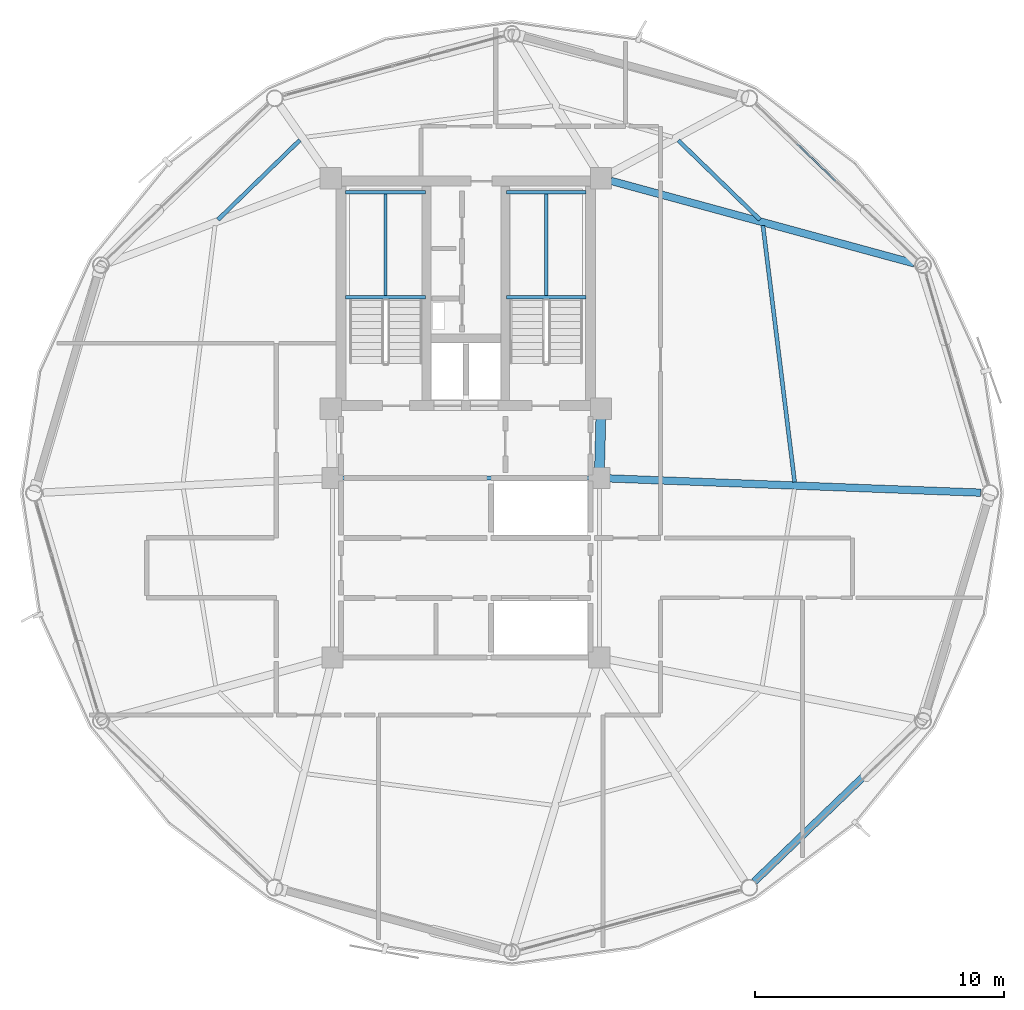
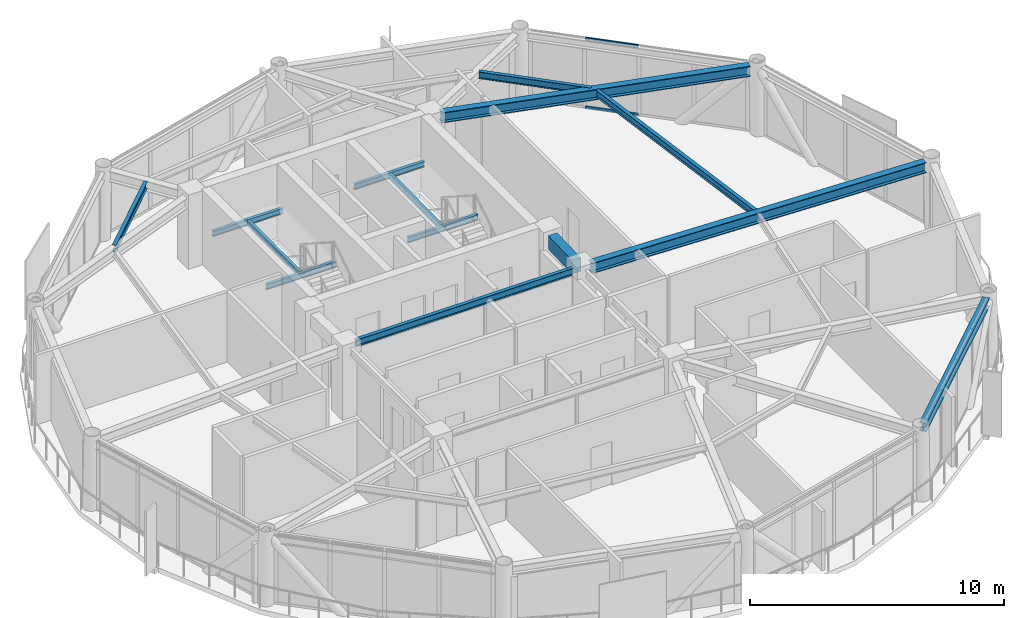
# One storey, part 14 of 28: 14 beams, 2 members, 1 element without a shape of its own.
"""IFC4 building model written with IfcOpenShell, lengths in metres."""

import ifcopenshell
import ifcopenshell.guid

model = None  # the IFC model being written
_history = None  # IfcOwnerHistory: only IFC2X3 demands one
_inside = {}  # id of a spatial element -> (the spatial element, [elements in it])
_under = {}  # id of a project, library or spatial element -> (it, [spatial elements below it])
_declared = {}  # id of a project -> (the project, [libraries it declares])
_typed = {}  # id of a type object -> (the type object, [elements of that type])
_made_of = {}  # id of a material, layer set ... -> (it, [elements and type objects made of it])


def new_model(schema):
    """Start an empty IFC model of exactly this schema.

    Asked for "IFC4X3", IfcOpenShell would pick the latest addendum, in which some entities
    have other attributes; the version numbers below select the first issue.
    IFC2X3 requires an IfcOwnerHistory on every rooted entity: one is made here for all.
    """
    global model, _history
    if schema == "IFC4X3":
        model = ifcopenshell.file(schema_version=(4, 3, 0, 0))
    else:
        model = ifcopenshell.file(schema=schema)
    _inside.clear()
    _under.clear()
    _declared.clear()
    _typed.clear()
    _made_of.clear()
    _history = None
    if model.schema == "IFC2X3":
        org = make("IfcOrganization", Name="unknown")
        user = make(
            "IfcPersonAndOrganization",
            ThePerson=make("IfcPerson", FamilyName="unknown"),
            TheOrganization=org,
        )
        app = make(
            "IfcApplication",
            ApplicationDeveloper=org,
            Version="unknown",
            ApplicationFullName="unknown",
            ApplicationIdentifier="unknown",
        )
        _history = make(
            "IfcOwnerHistory",
            OwningUser=user,
            OwningApplication=app,
            ChangeAction="ADDED",
            CreationDate=0,
        )
    return model


def make(cls, **values):
    """One entity of the class cls with the attributes given. An attribute that is None is left unset."""
    return model.create_entity(
        cls, **{name: value for name, value in values.items() if value is not None}
    )


def rooted(cls, **values):
    """An entity with a GlobalId (a new one), such as an element, a storey or a relation."""
    return make(cls, GlobalId=ifcopenshell.guid.new(), OwnerHistory=_history, **values)


def si_unit(unit_type, name, prefix=None):
    """IfcSIUnit, for example si_unit("LENGTHUNIT", "METRE", prefix="MILLI")."""
    return make("IfcSIUnit", UnitType=unit_type, Prefix=prefix, Name=name)


def assignment(units):
    """IfcUnitAssignment: the units of a project."""
    return None if units is None else make("IfcUnitAssignment", Units=units)


def point(xyz):
    """IfcCartesianPoint."""
    return None if xyz is None else make("IfcCartesianPoint", Coordinates=xyz)


def direction(xyz):
    """IfcDirection."""
    return None if xyz is None else make("IfcDirection", DirectionRatios=xyz)


def frame(location, z_axis=None, x_axis=None):
    """IfcAxis2Placement3D, a coordinate frame: its origin and axes. An axis left out is left unset."""
    return make(
        "IfcAxis2Placement3D",
        Location=point(location),
        Axis=direction(z_axis),
        RefDirection=direction(x_axis),
    )


def frame_2d(location, x_axis=None):
    """IfcAxis2Placement2D, a coordinate frame in the plane: its origin and x axis."""
    return make(
        "IfcAxis2Placement2D", Location=point(location), RefDirection=direction(x_axis)
    )


def origin():
    """The frame at (0, 0, 0) with its axes left unset."""
    return frame((0.0, 0.0, 0.0))


def origin_2d():
    """The frame at (0, 0) in the plane with its x axis left unset."""
    return frame_2d((0.0, 0.0))


def place(relative_to, where):
    """IfcLocalPlacement: puts the frame where relative to a parent placement (None: the world)."""
    return make(
        "IfcLocalPlacement", PlacementRelTo=relative_to, RelativePlacement=where
    )


def context(
    kind, dimensions, precision=None, world=None, true_north=None, identifier=None
):
    """IfcGeometricRepresentationContext, for example the 3D "Model" context."""
    return make(
        "IfcGeometricRepresentationContext",
        ContextIdentifier=identifier,
        ContextType=kind,
        CoordinateSpaceDimension=dimensions,
        Precision=precision,
        WorldCoordinateSystem=world,
        TrueNorth=true_north,
    )


def subcontext(parent, identifier, kind, view, scale=None):
    """IfcGeometricRepresentationSubContext, for example "Body" below "Model"."""
    return make(
        "IfcGeometricRepresentationSubContext",
        ContextIdentifier=identifier,
        ContextType=kind,
        ParentContext=parent,
        TargetScale=scale,
        TargetView=view,
    )


def project(units=None, contexts=None):
    """IfcProject with its units and contexts."""
    return rooted(
        "IfcProject",
        Name="project",
        RepresentationContexts=contexts,
        UnitsInContext=assignment(units),
    )


def spatial(cls, under=None, at=None, **own):
    """A site, building, storey or space (cls), placed at a placement, below another one or the project."""
    s = rooted(cls, ObjectPlacement=at, **own)
    if under is not None:
        _under.setdefault(under.id(), (under, []))[1].append(s)
    return s


def profile(cls, at=None, kind="AREA", **sizes):
    """A parametric profile (cls). Its sizes go by their IFC names, for example OverallWidth=200.0."""
    return make(cls, ProfileType=kind, Position=at, **sizes)


def rectangle(**sizes):
    """IfcRectangleProfileDef."""
    return profile("IfcRectangleProfileDef", **sizes)


def hollow_rectangle(**sizes):
    """IfcRectangleHollowProfileDef."""
    return profile("IfcRectangleHollowProfileDef", **sizes)


def i_section(**sizes):
    """IfcIShapeProfileDef."""
    return profile("IfcIShapeProfileDef", **sizes)


def extrude(swept, where, along, depth):
    """IfcExtrudedAreaSolid: the profile swept, set in the frame where, extruded along a direction by depth."""
    return make(
        "IfcExtrudedAreaSolid",
        SweptArea=swept,
        Position=where,
        ExtrudedDirection=direction(along),
        Depth=depth,
    )


def shape(context_of_items, identifier, shape_type, items):
    """IfcShapeRepresentation: the items that make up one representation, for example the "Body"."""
    return make(
        "IfcShapeRepresentation",
        ContextOfItems=context_of_items,
        RepresentationIdentifier=identifier,
        RepresentationType=shape_type,
        Items=items,
    )


def material(Name=None, Category=None):
    """IfcMaterial."""
    return make("IfcMaterial", Name=Name, Category=Category)


def layer(
    of_material, thickness, ventilated=None, Name=None, Category=None, Priority=None
):
    """IfcMaterialLayer: one layer of a wall or slab, of a material (None: an air gap)."""
    return make(
        "IfcMaterialLayer",
        Material=of_material,
        LayerThickness=thickness,
        IsVentilated=ventilated,
        Name=Name,
        Category=Category,
        Priority=Priority,
    )


def layer_set(layers, Name=None):
    """IfcMaterialLayerSet."""
    return make("IfcMaterialLayerSet", MaterialLayers=layers, LayerSetName=Name)


def material_profile(
    of_material, cross_section, Name=None, Category=None, Priority=None
):
    """IfcMaterialProfile: a cross section and its material."""
    return make(
        "IfcMaterialProfile",
        Name=Name,
        Material=of_material,
        Profile=cross_section,
        Priority=Priority,
        Category=Category,
    )


def profile_set(profiles, Name=None, composite=None):
    """IfcMaterialProfileSet."""
    return make(
        "IfcMaterialProfileSet",
        Name=Name,
        MaterialProfiles=profiles,
        CompositeProfile=composite,
    )


def made_of(thing, what):
    """Note that an element or type object is made of a material, layer set ...; save() writes the relation."""
    if what is not None:
        _made_of.setdefault(what.id(), (what, []))[1].append(thing)
    return thing


def type_object(cls, material=None, **own):
    """A type object (cls), such as IfcWallType, which elements share."""
    return made_of(rooted(cls, **own), material)


def element(
    cls,
    number,
    at=None,
    inside=None,
    cuts=None,
    type_object=None,
    material=None,
    context=None,
    identifier="Body",
    shape_type=None,
    held_by="IfcProductDefinitionShape",
    body=None,
    shapes=None,
    **own,
):
    """One element of the class cls, such as IfcWall. Its Tag is "e" and its number.

    at: its placement. inside: the storey or other place that contains it. cuts: it is an
    opening in that element (IfcRelVoidsElement). A single representation is given by context,
    identifier, shape_type and body (its items); several are given by shapes. held_by: the class
    of the entity that holds the representations. save() writes the other relations.
    """
    e = rooted(cls, Tag="e%d" % number, ObjectPlacement=at, **own)
    if body is not None:
        shapes = [shape(context, identifier, shape_type, body)]
    if shapes is not None:
        e.Representation = make(held_by, Representations=shapes)
    if inside is not None:
        _inside.setdefault(inside.id(), (inside, []))[1].append(e)
    if cuts is not None:
        rooted(
            "IfcRelVoidsElement", RelatingBuildingElement=cuts, RelatedOpeningElement=e
        )
    if type_object is not None:
        _typed.setdefault(type_object.id(), (type_object, []))[1].append(e)
    return made_of(e, material)


def aggregate(whole, parts):
    """IfcRelAggregates: a whole, such as a stair, and the parts it consists of."""
    return rooted("IfcRelAggregates", RelatingObject=whole, RelatedObjects=parts)


def save(model, path):
    """Write the relations noted so far, then the file.

    IfcRelAggregates (storeys below a building ...), IfcRelContainedInSpatialStructure (elements
    in a storey), IfcRelDefinesByType, IfcRelAssociatesMaterial and IfcRelDeclares: one each for
    every whole, place, type object, material and project.
    """
    for whole, parts in _under.values():
        aggregate(whole, parts)
    for where, things in _inside.values():
        rooted(
            "IfcRelContainedInSpatialStructure",
            RelatedElements=things,
            RelatingStructure=where,
        )
    for kind, things in _typed.values():
        rooted("IfcRelDefinesByType", RelatedObjects=things, RelatingType=kind)
    for what, things in _made_of.values():
        rooted("IfcRelAssociatesMaterial", RelatedObjects=things, RelatingMaterial=what)
    for by, libraries in _declared.values():
        rooted("IfcRelDeclares", RelatingContext=by, RelatedDefinitions=libraries)
    model.write(path)


model = new_model("IFC4")

# Units and contexts
model_context = context("Model", 3, precision=1e-05, world=origin(), true_north=direction((0.0, 1.0)))
body_context = subcontext(model_context, "Body", "Model", "MODEL_VIEW")
ifc_project = project(units=[si_unit("LENGTHUNIT", "METRE"), si_unit("AREAUNIT", "SQUARE_METRE"), si_unit("VOLUMEUNIT", "CUBIC_METRE"), si_unit("PLANEANGLEUNIT", "RADIAN"), si_unit("MASSUNIT", "GRAM", prefix="KILO")], contexts=[model_context])

# Site, building, storey
site_placement = place(None, origin())
site = spatial("IfcSite", under=ifc_project, at=site_placement, CompositionType="ELEMENT")
building_placement = place(site_placement, origin())
building = spatial("IfcBuilding", under=site, at=building_placement, Name="Varnakorn Sky Granary", CompositionType="ELEMENT")
storey_placement = place(building_placement, frame((0.0, 0.0, 211.199951171875)))
storey = spatial("IfcBuildingStorey", under=building, at=storey_placement, Name="L53", CompositionType="ELEMENT", Elevation=211.199951171875)

# Beams
ifc_material_1 = material(Name="Concrete C50/60", Category="concrete")
ifc_material_profile_1 = material_profile(ifc_material_1, rectangle(XDim=0.39990234375, YDim=0.64990234375, at=origin_2d()), Name="RC 400x650")
ifc_profile_set_1 = profile_set([ifc_material_profile_1], Name="Concrete C50/60")
beam_type_1 = type_object("IfcBeamType", Name="BM-LIN-650", PredefinedType="LINTEL", material=ifc_profile_set_1)
beam_1_placement = place(storey_placement, frame((8.409912109375, 2.97509765625, 3.03515625), z_axis=(-0.025270737467, -0.99968064392, 0.0), x_axis=(0.99968064392, -0.025270737467, 0.0)))
element("IfcBeam", 1, at=beam_1_placement, inside=storey, type_object=beam_type_1, Name="Core Spine Framing Beam 2 L53", PredefinedType="LINTEL", context=body_context, shape_type="SweptSolid", body=[
    extrude(rectangle(XDim=0.39990234375, YDim=0.64990234375, at=origin_2d()), origin(), (0.0, 0.0, 1.0), 1.970947265625),
])
ifc_material_2 = material(Name="Steel S355JR", Category="steel")
ifc_material_profile_2 = material_profile(ifc_material_2, i_section(OverallWidth=0.135009765625, OverallDepth=0.27001953125, WebThickness=0.006591796875, FlangeThickness=0.01025390625, at=origin_2d()), Name="IPE 270")
ifc_profile_set_2 = profile_set([ifc_material_profile_2], Name="Steel S355JR")
beam_type_2 = type_object("IfcBeamType", Name="BM-LND-270", PredefinedType="BEAM", material=ifc_profile_set_2)
for number, where, z_axis, x_axis, name in (
    (2, (-1.820068359375, 7.840087890625, 1.465087890625), (1.0, 0.0, 0.0), (0.0, 1.0, 0.0), "Stair ST-1 Landing Trimmer Beam A L53-1"),
    (3, (-1.820068359375, 12.06005859375, 1.465087890625), (1.0, 0.0, 0.0), (0.0, 1.0, 0.0), "Stair ST-1 Landing Trimmer Beam B L53-1"),
):
    element("IfcBeam", number, at=place(storey_placement, frame(where, z_axis=z_axis, x_axis=x_axis)), inside=storey, type_object=beam_type_2, Name=name, PredefinedType="BEAM", context=body_context, shape_type="SweptSolid", body=[
        extrude(i_section(OverallWidth=0.135009765625, OverallDepth=0.27001953125, WebThickness=0.006591796875, FlangeThickness=0.01025390625, at=origin_2d()), origin(), (0.0, 0.0, 1.0), 3.199951171875),
    ])
beam_2_placement = place(storey_placement, frame((-0.219970703125, 7.840087890625, 1.465087890625), z_axis=(0.0, 1.0, 0.0), x_axis=(-1.0, 0.0, 0.0)))
element("IfcBeam", 4, at=beam_2_placement, inside=storey, type_object=beam_type_2, Name="Stair ST-1 Landing Cross Beam C L53-1", PredefinedType="BEAM", context=body_context, shape_type="SweptSolid", body=[
    extrude(i_section(OverallWidth=0.135009765625, OverallDepth=0.27001953125, WebThickness=0.006591796875, FlangeThickness=0.01025390625, at=origin_2d()), origin(), (0.0, 0.0, 1.0), 4.219970703125),
])
for number, where, z_axis, x_axis, name in (
    (5, (4.6201171875, 7.840087890625, 1.465087890625), (1.0, 0.0, 0.0), (0.0, 1.0, 0.0), "Stair ST-2 Landing Trimmer Beam A L53-1"),
    (6, (4.6201171875, 12.06005859375, 1.465087890625), (1.0, 0.0, 0.0), (0.0, 1.0, 0.0), "Stair ST-2 Landing Trimmer Beam B L53-1"),
):
    element("IfcBeam", number, at=place(storey_placement, frame(where, z_axis=z_axis, x_axis=x_axis)), inside=storey, type_object=beam_type_2, Name=name, PredefinedType="BEAM", context=body_context, shape_type="SweptSolid", body=[
        extrude(i_section(OverallWidth=0.135009765625, OverallDepth=0.27001953125, WebThickness=0.006591796875, FlangeThickness=0.01025390625, at=origin_2d()), origin(), (0.0, 0.0, 1.0), 3.199951171875),
    ])
beam_3_placement = place(storey_placement, frame((6.219970703125, 7.840087890625, 1.465087890625), z_axis=(0.0, 1.0, 0.0), x_axis=(-1.0, 0.0, 0.0)))
element("IfcBeam", 7, at=beam_3_placement, inside=storey, type_object=beam_type_2, Name="Stair ST-2 Landing Cross Beam C L53-1", PredefinedType="BEAM", context=body_context, shape_type="SweptSolid", body=[
    extrude(i_section(OverallWidth=0.135009765625, OverallDepth=0.27001953125, WebThickness=0.006591796875, FlangeThickness=0.01025390625, at=origin_2d()), origin(), (0.0, 0.0, 1.0), 4.219970703125),
])
ifc_material_profile_3 = material_profile(ifc_material_2, i_section(OverallWidth=0.300048828125, OverallDepth=0.5, WebThickness=0.014404296875, FlangeThickness=0.028076171875, at=origin_2d()), Name="HE 500 B")
ifc_profile_set_3 = profile_set([ifc_material_profile_3], Name="Steel S355JR")
beam_type_3 = type_object("IfcBeamType", Name="BM-RAD-Z4", PredefinedType="BEAM", material=ifc_profile_set_3)
beam_4_placement = place(storey_placement, frame((8.754638671875, 0.58447265625, 3.110107421875), z_axis=(0.999261828115, -0.038416127751, 0.0), x_axis=(0.038416127751, 0.999261828115, 0.0)))
element("IfcBeam", 8, at=beam_4_placement, inside=storey, type_object=beam_type_3, Name="Radial Floor Girder RG01 L53", PredefinedType="BEAM", context=body_context, shape_type="SweptSolid", body=[
    extrude(i_section(OverallWidth=0.300048828125, OverallDepth=0.5, WebThickness=0.014404296875, FlangeThickness=0.028076171875, at=origin_2d()), origin(), (0.0, 0.0, 1.0), 14.896484375),
])
beam_5_placement = place(storey_placement, frame((8.810791015625, 12.513671875, 3.110107421875), z_axis=(0.96491160124, -0.262574945098, 0.0), x_axis=(0.262574945098, 0.96491160124, 0.0)))
element("IfcBeam", 9, at=beam_5_placement, inside=storey, type_object=beam_type_3, Name="Radial Floor Girder RG02 L53", PredefinedType="BEAM", context=body_context, shape_type="SweptSolid", body=[
    extrude(i_section(OverallWidth=0.300048828125, OverallDepth=0.5, WebThickness=0.014404296875, FlangeThickness=0.028076171875, at=origin_2d()), origin(), (0.0, 0.0, 1.0), 12.606201171875),
])
ifc_material_profile_4 = material_profile(ifc_material_2, i_section(OverallWidth=0.159912109375, OverallDepth=0.330078125, WebThickness=0.007568359375, FlangeThickness=0.011474609375, at=origin_2d()), Name="IPE 330")
ifc_profile_set_4 = profile_set([ifc_material_profile_4], Name="Steel S355JR")
beam_type_4 = type_object("IfcBeamType", Name="BM-SEC-Z4", PredefinedType="BEAM", material=ifc_profile_set_4)
beam_6_placement = place(storey_placement, frame((16.180419921875, 0.437255859375, 3.195068359375), z_axis=(-0.122628009494, 0.992452704811, 0.0), x_axis=(-0.992452704811, -0.122628009494, 0.0)))
element("IfcBeam", 10, at=beam_6_placement, inside=storey, type_object=beam_type_4, Name="Secondary Floor Chord Beam MSB01 L53", PredefinedType="BEAM", context=body_context, shape_type="SweptSolid", body=[
    extrude(i_section(OverallWidth=0.159912109375, OverallDepth=0.330078125, WebThickness=0.007568359375, FlangeThickness=0.011474609375, at=origin_2d()), origin(), (0.0, 0.0, 1.0), 10.360595703125),
])
beam_7_placement = place(storey_placement, frame((14.792236328125, 10.956298828125, 3.195068359375), z_axis=(-0.717781249411, 0.69626868233, 0.0), x_axis=(-0.69626868233, -0.717781249411, 0.0)))
element("IfcBeam", 11, at=beam_7_placement, inside=storey, type_object=beam_type_4, Name="Secondary Floor Chord Beam MSB02 L53", PredefinedType="BEAM", context=body_context, shape_type="SweptSolid", body=[
    extrude(i_section(OverallWidth=0.159912109375, OverallDepth=0.330078125, WebThickness=0.007568359375, FlangeThickness=0.011474609375, at=origin_2d()), origin(), (0.0, 0.0, 1.0), 4.562255859375),
])
beam_8_placement = place(storey_placement, frame((-3.653564453125, 14.1484375, 3.195068359375), z_axis=(-0.71694095379, -0.697133895876, 0.0), x_axis=(0.697133895876, -0.71694095379, 0.0)))
element("IfcBeam", 12, at=beam_8_placement, inside=storey, type_object=beam_type_4, Name="Secondary Floor Chord Beam MSB05 L53", PredefinedType="BEAM", context=body_context, shape_type="SweptSolid", body=[
    extrude(i_section(OverallWidth=0.159912109375, OverallDepth=0.330078125, WebThickness=0.007568359375, FlangeThickness=0.011474609375, at=origin_2d()), origin(), (0.0, 0.0, 1.0), 4.585205078125),
])
beam_9_placement = place(storey_placement, frame((-1.945068359375, 0.60009765625, 3.195068359375), z_axis=(1.0, 0.0, 0.0), x_axis=(0.0, 1.0, 0.0)))
element("IfcBeam", 13, at=beam_9_placement, inside=storey, type_object=beam_type_4, Name="Core Spine Framing Beam 5 L53", PredefinedType="BEAM", context=body_context, shape_type="SweptSolid", body=[
    extrude(i_section(OverallWidth=0.159912109375, OverallDepth=0.330078125, WebThickness=0.007568359375, FlangeThickness=0.011474609375, at=origin_2d()), origin(), (0.0, 0.0, 1.0), 9.89013671875),
])
ifc_material_profile_5 = material_profile(ifc_material_2, i_section(OverallWidth=0.300048828125, OverallDepth=0.39990234375, WebThickness=0.013427734375, FlangeThickness=0.02392578125, at=origin_2d()), Name="HE 400 B")
ifc_profile_set_5 = profile_set([ifc_material_profile_5], Name="Steel S355JR")
beam_type_5 = type_object("IfcBeamType", Name="BM-SPD-Z4", PredefinedType="SPANDREL", material=ifc_profile_set_5)
beam_10_placement = place(storey_placement, frame((14.56201171875, -15.57958984375, 3.16015625), z_axis=(0.720814826403, 0.693127683791, 0.0), x_axis=(-0.693127683791, 0.720814826403, 0.0)))
element("IfcBeam", 14, at=beam_10_placement, inside=storey, type_object=beam_type_5, Name="Perimeter Spandrel Ring Beam RB11 L53", PredefinedType="SPANDREL", context=body_context, shape_type="SweptSolid", body=[
    extrude(i_section(OverallWidth=0.300048828125, OverallDepth=0.39990234375, WebThickness=0.013427734375, FlangeThickness=0.02392578125, at=origin_2d()), origin(), (0.0, 0.0, 1.0), 9.0029296875),
])

# Curtain wall, members
ifc_material_3 = material(Name="Anodised Bronze Aluminium Alloy 6063-T6", Category="aluminium")
ifc_layer = layer(ifc_material_3, 0.169921875, Name="Anodised Bronze Aluminium Alloy 6063-T6")
ifc_layer_set = layer_set([ifc_layer], Name="Anodised Bronze Aluminium Alloy 6063-T6")
curtain_wall_type = type_object("IfcCurtainWallType", Name="CW-LAB-1", PredefinedType="USERDEFINED", material=ifc_layer_set)
curtain_wall_placement = place(storey_placement, origin())
curtain_wall = element("IfcCurtainWall", 15, at=curtain_wall_placement, inside=storey, type_object=curtain_wall_type, Name="Unitised Curtain Wall CW5 CW-L53-B02", ObjectType="CURTAIN WALL", PredefinedType="USERDEFINED")
ifc_material_profile_6 = material_profile(ifc_material_3, hollow_rectangle(XDim=0.070068359375, YDim=0.139892578125, WallThickness=0.00341796875, at=origin_2d()), Name="ALU TRAN 70x140")
ifc_profile_set_6 = profile_set([ifc_material_profile_6], Name="Anodised Bronze Aluminium Alloy 6063-T6")
member_type = type_object("IfcMemberType", Name="CW-LAB-1-TRAN", PredefinedType="USERDEFINED", material=ifc_profile_set_6)
member_1_placement = place(storey_placement, frame((16.275146484375, 13.99755859375, 0.03515625), z_axis=(0.721459765229, -0.692456357582, 0.0), x_axis=(0.692456357582, 0.721459765229, 0.0)))
member_1 = element("IfcMember", 16, at=member_1_placement, type_object=member_type, Name="CW5 transom 2.1", ObjectType="TRANSOM", PredefinedType="USERDEFINED", context=body_context, shape_type="SweptSolid", body=[
    extrude(hollow_rectangle(XDim=0.070068359375, YDim=0.139892578125, WallThickness=0.00341796875, at=origin_2d()), origin(), (0.0, 0.0, 1.0), 2.155029296875),
])
member_2_placement = place(storey_placement, frame((16.275146484375, 13.99755859375, 3.324951171875), z_axis=(0.721459765229, -0.692456357582, 0.0), x_axis=(0.692456357582, 0.721459765229, 0.0)))
member_2 = element("IfcMember", 17, at=member_2_placement, type_object=member_type, Name="CW5 transom 2.2", ObjectType="TRANSOM", PredefinedType="USERDEFINED", context=body_context, shape_type="SweptSolid", body=[
    extrude(hollow_rectangle(XDim=0.070068359375, YDim=0.139892578125, WallThickness=0.00341796875, at=origin_2d()), origin(), (0.0, 0.0, 1.0), 2.155029296875),
])
aggregate(curtain_wall, [member_1, member_2])

save(model, "model.ifc")
